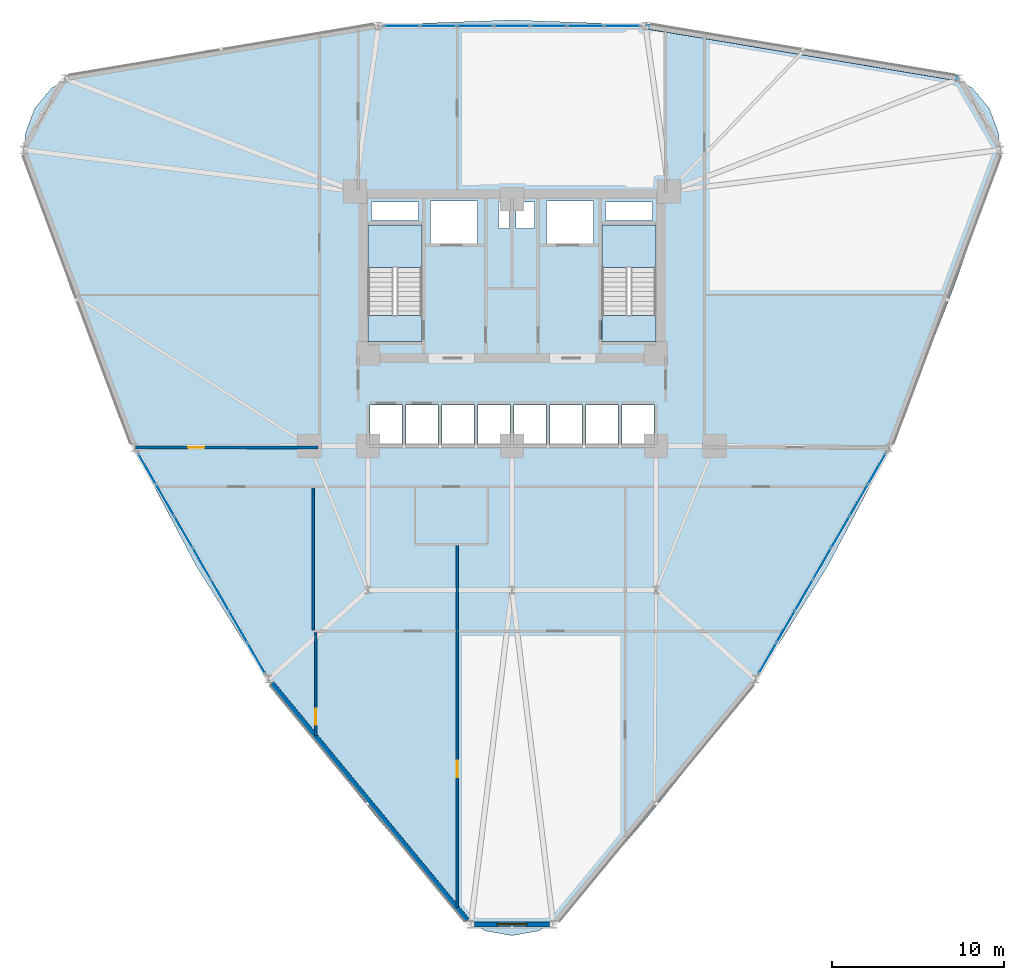
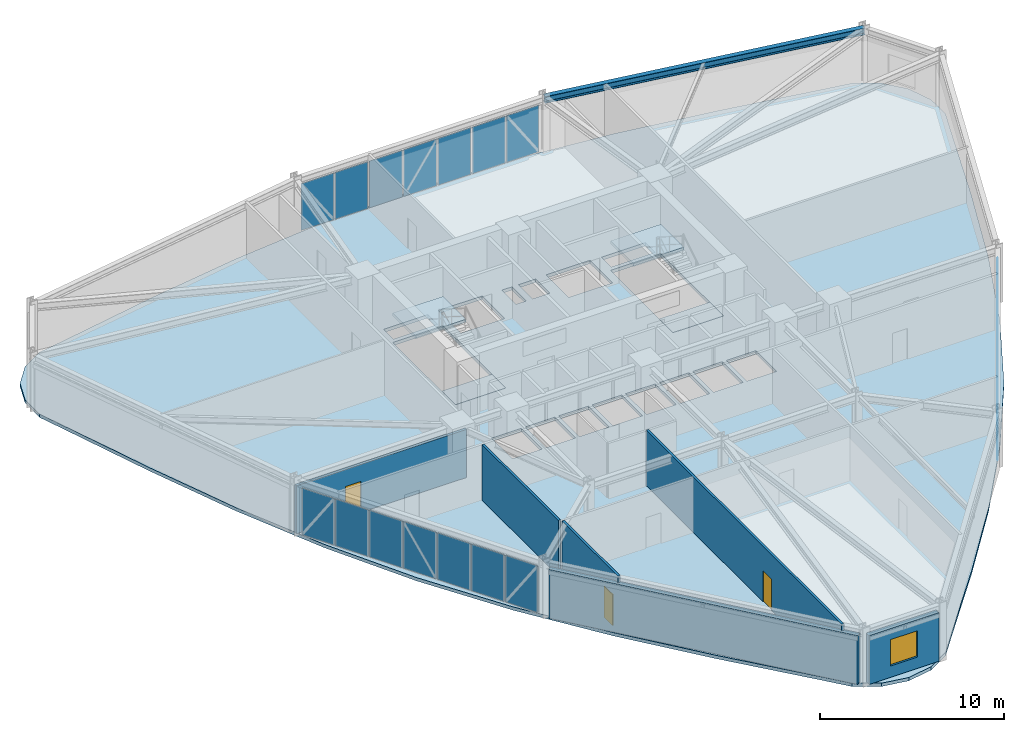
# One storey, part 15 of 22: 21 plates, 6 walls, 5 slabs, 3 doors, 1 beam, 1 window, 4 openings, 5 elements without a shape of their own.
"""IFC4 building model written with IfcOpenShell, lengths in metres."""

from ifc_helpers import new_model, si_unit, derived_unit, direction, frame, frame_2d, origin, origin_2d, place, context, subcontext, project, spatial, polyline, rectangle, i_section, outline, extrude, source, transform, mapped, material, layer, layer_set, material_profile, profile_set, type_object, element, fill, aggregate, save


model = new_model("IFC4")

# Units and contexts
model_context = context("Model", 3, precision=1e-05, world=origin(), true_north=direction((0.0, 1.0)))
body_context = subcontext(model_context, "Body", "Model", "MODEL_VIEW")
ifc_project = project(units=[si_unit("LENGTHUNIT", "METRE"), si_unit("AREAUNIT", "SQUARE_METRE"), si_unit("VOLUMEUNIT", "CUBIC_METRE"), si_unit("PLANEANGLEUNIT", "RADIAN"), si_unit("MASSUNIT", "GRAM", prefix="KILO"), derived_unit("THERMALTRANSMITTANCEUNIT", [(si_unit("POWERUNIT", "WATT"), 1), (si_unit("LENGTHUNIT", "METRE"), -2), (si_unit("THERMODYNAMICTEMPERATUREUNIT", "KELVIN"), -1)])], contexts=[model_context])

# Site, building, storey
site_placement = place(None, origin())
site = spatial("IfcSite", under=ifc_project, at=site_placement, CompositionType="ELEMENT")
building_placement = place(site_placement, origin())
building = spatial("IfcBuilding", under=site, at=building_placement, Name="Korsvarv Bourse and Concert Hall", CompositionType="ELEMENT")
storey_placement = place(building_placement, frame((0.0, 0.0, 47.39990234375)))
storey = spatial("IfcBuildingStorey", under=building, at=storey_placement, Name="L11", CompositionType="ELEMENT", Elevation=47.39990234375)

# Beam
ifc_material_1 = material(Name="Steel S355", Category="steel")
ifc_material_profile = material_profile(ifc_material_1, i_section(OverallWidth=0.300048828125, OverallDepth=0.449951171875, WebThickness=0.013916015625, FlangeThickness=0.02587890625, FilletRadius=0.02099609375, at=origin_2d()), Name="HEB 450")
ifc_profile_set = profile_set([ifc_material_profile], Name="Steel S355")
beam_type = type_object("IfcBeamType", Name="BM-HEB450", PredefinedType="SPANDREL", material=ifc_profile_set)
shared_shape_1 = source(origin(), body_context, "Body", "SweptSolid", [
    extrude(i_section(OverallWidth=0.300048828125, OverallDepth=0.449951171875, WebThickness=0.013916015625, FlangeThickness=0.02587890625, FilletRadius=0.02099609375, at=origin_2d()), origin(), (0.0, 0.0, 1.0), 18.538818359375),
])
beam_placement = place(storey_placement, frame((62.069091796875, 53.82861328125, 3.455078125), z_axis=(-0.98627657502, 0.16510153714, 0.0), x_axis=(-0.16510153714, -0.98627657502, 0.0)))
element("IfcBeam", 1, at=beam_placement, inside=storey, type_object=beam_type, Name="L11 beam B-08", PredefinedType="SPANDREL", context=body_context, shape_type="MappedRepresentation", body=[
    mapped(shared_shape_1, transform((0.0, 0.0, 0.0), scale=1.0)),
])

# Slabs
ifc_material_2 = material(Name="Precast concrete C45/55", Category="concrete")
ifc_layer_1 = layer(ifc_material_2, 0.199951171875)
ifc_layer_set_1 = layer_set([ifc_layer_1], Name="Precast concrete C45/55")
slab_type_1 = type_object("IfcSlabType", Name="SLB-FLND-T", PredefinedType="LANDING", material=ifc_layer_set_1)
slab_1_placement = place(storey_placement, frame((0.0, 0.0, -0.199951171875)))
element("IfcSlab", 2, at=slab_1_placement, inside=storey, type_object=slab_type_1, Name="L11 Stair ST-T1 Floor Landing Slab", PredefinedType="LANDING", context=body_context, shape_type="SweptSolid", body=[
    extrude(outline(polyline([(30.760009765625, 38.5), (30.760009765625, 40.0), (27.60009765625, 40.0), (27.60009765625, 38.5), (30.760009765625, 38.5)])), origin(), (0.0, 0.0, 1.0), 0.199951171875),
])
slab_2_placement = place(storey_placement, frame((0.0, 0.0, -0.199951171875)))
element("IfcSlab", 3, at=slab_2_placement, inside=storey, type_object=slab_type_1, Name="L11 Stair ST-T2 Floor Landing Slab", PredefinedType="LANDING", context=body_context, shape_type="SweptSolid", body=[
    extrude(outline(polyline([(44.39990234375, 38.5), (44.39990234375, 40.0), (41.239990234375, 40.0), (41.239990234375, 38.5), (44.39990234375, 38.5)])), origin(), (0.0, 0.0, 1.0), 0.199951171875),
])

# Stair, slab
stair_type = type_object("IfcStairType", Name="STR-TYPE-03", PredefinedType="HALF_TURN_STAIR", material=ifc_material_2)
stair_1_placement = place(storey_placement, origin())
stair_1 = element("IfcStair", 4, at=stair_1_placement, inside=storey, type_object=stair_type, Name="L11 Tower West Exit Stair ST-T1", PredefinedType="HALF_TURN_STAIR")
ifc_layer_2 = layer(ifc_material_2, 0.199951171875)
ifc_layer_set_2 = layer_set([ifc_layer_2], Name="Precast concrete C45/55")
slab_type_2 = type_object("IfcSlabType", Name="SLB-ST-LND", PredefinedType="LANDING", material=ifc_layer_set_2)
slab_3_placement = place(storey_placement, frame((0.0, 0.0, 1.75)))
slab_3 = element("IfcSlab", 5, at=slab_3_placement, type_object=slab_type_2, Name="ST-T1 landing 1", PredefinedType="LANDING", context=body_context, shape_type="SweptSolid", body=[
    extrude(outline(polyline([(30.760009765625, 42.800048828125), (30.760009765625, 45.300048828125), (27.60009765625, 45.300048828125), (27.60009765625, 42.800048828125), (30.760009765625, 42.800048828125)])), origin(), (0.0, 0.0, 1.0), 0.2001953125),
])
aggregate(stair_1, [slab_3])

stair_2_placement = place(storey_placement, origin())
stair_2 = element("IfcStair", 6, at=stair_2_placement, inside=storey, type_object=stair_type, Name="L11 Tower East Exit Stair ST-T2", PredefinedType="HALF_TURN_STAIR")
slab_4_placement = place(storey_placement, frame((0.0, 0.0, 1.75)))
slab_4 = element("IfcSlab", 7, at=slab_4_placement, type_object=slab_type_2, Name="ST-T2 landing 1", PredefinedType="LANDING", context=body_context, shape_type="SweptSolid", body=[
    extrude(outline(polyline([(44.39990234375, 42.800048828125), (44.39990234375, 45.300048828125), (41.239990234375, 45.300048828125), (41.239990234375, 42.800048828125), (44.39990234375, 42.800048828125)])), origin(), (0.0, 0.0, 1.0), 0.2001953125),
])
aggregate(stair_2, [slab_4])

# Slab
ifc_material_3 = material(Name="Concrete C45/55", Category="concrete")
ifc_layer_3 = layer(ifc_material_3, 0.219970703125)
ifc_layer_set_3 = layer_set([ifc_layer_3], Name="Concrete C45/55")
slab_type_3 = type_object("IfcSlabType", Name="SLB-TW1", PredefinedType="FLOOR", material=ifc_layer_set_3)
slab_5_placement = place(storey_placement, frame((0.0, 0.0, -0.219970703125)))
element("IfcSlab", 8, at=slab_5_placement, inside=storey, type_object=slab_type_3, Name="L11 tower structural floor slab", PredefinedType="FLOOR", context=body_context, shape_type="SweptSolid", body=[
    extrude(outline(polyline([(63.784912109375, 47.35888671875), (61.7548828125, 41.6484375), (59.58837890625, 36.04248046875), (57.162841796875, 30.6064453125), (54.39501953125, 25.379638671875), (51.25244140625, 20.369140625), (47.757568359375, 15.550537109375), (43.985595703125, 10.871337890625), (40.05517578125, 6.258056640625), (40.05078125, 6.253173828125), (38.9326171875, 4.92041015625), (37.560546875, 4.128173828125), (36.0, 3.85302734375), (34.439453125, 4.128173828125), (33.0673828125, 4.92041015625), (31.94921875, 6.253173828125), (31.94482421875, 6.258056640625), (28.014404296875, 10.871337890625), (24.242431640625, 15.550537109375), (20.74755859375, 20.369140625), (17.60498046875, 25.379638671875), (14.837158203125, 30.6064453125), (12.41162109375, 36.04248046875), (10.2451171875, 41.6484375), (8.215087890625, 47.35888671875), (8.212890625, 47.365234375), (7.617919921875, 49.0), (7.617919921875, 50.58447265625), (8.159912109375, 52.073486328125), (9.178466796875, 53.287353515625), (10.550537109375, 54.07958984375), (12.263916015625, 54.381591796875), (12.270263671875, 54.3828125), (18.230712890625, 55.480224609375), (24.169189453125, 56.406982421875), (30.089599609375, 57.0244140625), (36.0, 57.24072265625), (41.910400390625, 57.0244140625), (47.830810546875, 56.406982421875), (53.769287109375, 55.480224609375), (59.729736328125, 54.3828125), (59.736083984375, 54.381591796875), (61.449462890625, 54.07958984375), (62.821533203125, 53.287353515625), (63.840087890625, 52.073486328125), (64.382080078125, 50.58447265625), (64.382080078125, 49.0), (63.787109375, 47.365234375), (63.784912109375, 47.35888671875)]), holes=[polyline([(30.760009765625, 38.5), (30.760009765625, 45.300048828125), (27.60009765625, 45.300048828125), (27.60009765625, 38.5), (30.760009765625, 38.5)]), polyline([(44.39990234375, 38.5), (44.39990234375, 45.300048828125), (41.239990234375, 45.300048828125), (41.239990234375, 38.5), (44.39990234375, 38.5)]), polyline([(31.239990234375, 44.219970703125), (34.0, 44.219970703125), (34.0, 46.679931640625), (31.239990234375, 46.679931640625), (31.239990234375, 44.219970703125)]), polyline([(38.0, 44.219970703125), (40.760009765625, 44.219970703125), (40.760009765625, 46.679931640625), (38.0, 46.679931640625), (38.0, 44.219970703125)]), polyline([(27.719970703125, 32.52001953125), (29.580078125, 32.52001953125), (29.580078125, 34.780029296875), (27.719970703125, 34.780029296875), (27.719970703125, 32.52001953125)]), polyline([(29.820068359375, 32.52001953125), (31.679931640625, 32.52001953125), (31.679931640625, 34.780029296875), (29.820068359375, 34.780029296875), (29.820068359375, 32.52001953125)]), polyline([(31.919921875, 32.52001953125), (33.780029296875, 32.52001953125), (33.780029296875, 34.780029296875), (31.919921875, 34.780029296875), (31.919921875, 32.52001953125)]), polyline([(34.02001953125, 32.52001953125), (35.8798828125, 32.52001953125), (35.8798828125, 34.780029296875), (34.02001953125, 34.780029296875), (34.02001953125, 32.52001953125)]), polyline([(36.1201171875, 32.52001953125), (37.97998046875, 32.52001953125), (37.97998046875, 34.780029296875), (36.1201171875, 34.780029296875), (36.1201171875, 32.52001953125)]), polyline([(38.219970703125, 32.52001953125), (40.080078125, 32.52001953125), (40.080078125, 34.780029296875), (38.219970703125, 34.780029296875), (38.219970703125, 32.52001953125)]), polyline([(40.320068359375, 32.52001953125), (42.179931640625, 32.52001953125), (42.179931640625, 34.780029296875), (40.320068359375, 34.780029296875), (40.320068359375, 32.52001953125)]), polyline([(42.419921875, 32.52001953125), (44.280029296875, 32.52001953125), (44.280029296875, 34.780029296875), (42.419921875, 34.780029296875), (42.419921875, 32.52001953125)]), polyline([(27.800048828125, 45.56005859375), (30.56005859375, 45.56005859375), (30.56005859375, 46.6201171875), (27.800048828125, 46.6201171875), (27.800048828125, 45.56005859375)]), polyline([(41.43994140625, 45.56005859375), (44.199951171875, 45.56005859375), (44.199951171875, 46.6201171875), (41.43994140625, 46.6201171875), (41.43994140625, 45.56005859375)]), polyline([(35.199951171875, 45.080078125), (35.840087890625, 45.080078125), (35.840087890625, 46.6201171875), (35.199951171875, 46.6201171875), (35.199951171875, 45.080078125)]), polyline([(36.239990234375, 45.080078125), (37.320068359375, 45.080078125), (37.320068359375, 46.6201171875), (36.239990234375, 46.6201171875), (36.239990234375, 45.080078125)])]), origin(), (0.0, 0.0, 1.0), 0.219970703125),
])

# Curtain wall, plates
ifc_material_4 = material(Name="Anodised aluminium and triple low-E glazing", Category="glass")
ifc_layer_4 = layer(ifc_material_4, 0.219970703125)
ifc_layer_set_4 = layer_set([ifc_layer_4], Name="Anodised aluminium and triple low-E glazing")
curtain_wall_type = type_object("IfcCurtainWallType", Name="CW-SYS-1", PredefinedType="NOTDEFINED", material=ifc_layer_set_4)
curtain_wall_1_placement = place(storey_placement, origin())
curtain_wall_1 = element("IfcCurtainWall", 9, at=curtain_wall_1_placement, inside=storey, type_object=curtain_wall_type, Name="L11 CW1 curtain wall CW-L11-F03", PredefinedType="NOTDEFINED")
ifc_material_5 = material(Name="Insulated spandrel glass", Category="glass")
ifc_layer_5 = layer(ifc_material_5, 0.031982421875)
ifc_layer_set_5 = layer_set([ifc_layer_5], Name="Insulated spandrel glass")
plate_type_1 = type_object("IfcPlateType", Name="CWP-SPD1", PredefinedType="CURTAIN_PANEL", material=ifc_layer_set_5)
shared_shape_2 = source(origin(), body_context, "Body", "SweptSolid", [
    extrude(rectangle(XDim=2.04443359375, YDim=0.031982421875, at=origin_2d()), origin(), (0.0, 0.0, 1.0), 3.10009765625),
])
plate_1_placement = place(storey_placement, frame((42.430419921875, 56.889404296875, 0.06494140625), z_axis=(0.0, 0.0, 1.0), x_axis=(-1.0, 0.0, 0.0)))
plate_1 = element("IfcPlate", 10, at=plate_1_placement, type_object=plate_type_1, Name="CW1 spandrel shadow-box panel 1.1", PredefinedType="CURTAIN_PANEL", context=body_context, shape_type="MappedRepresentation", body=[
    mapped(shared_shape_2, transform((0.0, 0.0, 0.0), scale=1.0)),
])
plate_2_placement = place(storey_placement, frame((29.569580078125, 56.889404296875, 0.06494140625), z_axis=(0.0, 0.0, 1.0), x_axis=(-1.0, 0.0, 0.0)))
plate_2 = element("IfcPlate", 11, at=plate_2_placement, type_object=plate_type_1, Name="CW1 spandrel shadow-box panel 7.1", PredefinedType="CURTAIN_PANEL", context=body_context, shape_type="MappedRepresentation", body=[
    mapped(shared_shape_2, transform((0.0, 0.0, 0.0), scale=1.0)),
])
ifc_material_6 = material(Name="Tempered triple insulated low-E architectural glass", Category="glass")
ifc_layer_6 = layer(ifc_material_6, 0.035888671875)
ifc_layer_set_6 = layer_set([ifc_layer_6], Name="Tempered triple insulated low-E architectural glass")
plate_type_2 = type_object("IfcPlateType", Name="CWP-VIS1", PredefinedType="CURTAIN_PANEL", material=ifc_layer_set_6)
shared_shape_3 = source(origin(), body_context, "Body", "SweptSolid", [
    extrude(rectangle(XDim=2.079345703125, YDim=0.035888671875, at=origin_2d()), origin(), (0.0, 0.0, 1.0), 3.10009765625),
])
plate_3_placement = place(storey_placement, frame((40.298583984375, 56.889404296875, 0.06494140625), z_axis=(0.0, 0.0, 1.0), x_axis=(-1.0, 0.0, 0.0)))
plate_3 = element("IfcPlate", 12, at=plate_3_placement, type_object=plate_type_2, Name="CW1 faceted panel 2.1", PredefinedType="CURTAIN_PANEL", context=body_context, shape_type="MappedRepresentation", body=[
    mapped(shared_shape_3, transform((0.0, 0.0, 0.0), scale=1.0)),
])
plate_4_placement = place(storey_placement, frame((38.1494140625, 56.889404296875, 0.06494140625), z_axis=(0.0, 0.0, 1.0), x_axis=(-1.0, 0.0, 0.0)))
plate_4 = element("IfcPlate", 13, at=plate_4_placement, type_object=plate_type_2, Name="CW1 faceted panel 3.1", PredefinedType="CURTAIN_PANEL", context=body_context, shape_type="MappedRepresentation", body=[
    mapped(shared_shape_3, transform((0.0, 0.0, 0.0), scale=1.0)),
])
plate_5_placement = place(storey_placement, frame((33.8505859375, 56.889404296875, 0.06494140625), z_axis=(0.0, 0.0, 1.0), x_axis=(-1.0, 0.0, 0.0)))
plate_5 = element("IfcPlate", 14, at=plate_5_placement, type_object=plate_type_2, Name="CW1 faceted panel 5.1", PredefinedType="CURTAIN_PANEL", context=body_context, shape_type="MappedRepresentation", body=[
    mapped(shared_shape_3, transform((0.0, 0.0, 0.0), scale=1.0)),
])
plate_6_placement = place(storey_placement, frame((31.701416015625, 56.889404296875, 0.06494140625), z_axis=(0.0, 0.0, 1.0), x_axis=(-1.0, 0.0, 0.0)))
plate_6 = element("IfcPlate", 15, at=plate_6_placement, type_object=plate_type_2, Name="CW1 faceted panel 6.1", PredefinedType="CURTAIN_PANEL", context=body_context, shape_type="MappedRepresentation", body=[
    mapped(shared_shape_3, transform((0.0, 0.0, 0.0), scale=1.0)),
])
shared_shape_4 = source(origin(), body_context, "Body", "SweptSolid", [
    extrude(rectangle(XDim=2.079345703125, YDim=0.031982421875, at=origin_2d()), origin(), (0.0, 0.0, 1.0), 3.10009765625),
])
plate_7_placement = place(storey_placement, frame((36.0, 56.889404296875, 0.06494140625), z_axis=(0.0, 0.0, 1.0), x_axis=(-1.0, 0.0, 0.0)))
plate_7 = element("IfcPlate", 16, at=plate_7_placement, type_object=plate_type_1, Name="CW1 spandrel shadow-box panel 4.1", PredefinedType="CURTAIN_PANEL", context=body_context, shape_type="MappedRepresentation", body=[
    mapped(shared_shape_4, transform((0.0, 0.0, 0.0), scale=1.0)),
])
aggregate(curtain_wall_1, [plate_1, plate_3, plate_4, plate_7, plate_5, plate_6, plate_2])

curtain_wall_2_placement = place(storey_placement, origin())
curtain_wall_2 = element("IfcCurtainWall", 17, at=curtain_wall_2_placement, inside=storey, type_object=curtain_wall_type, Name="L11 CW1 curtain wall CW-L11-F07", PredefinedType="NOTDEFINED")
shared_shape_5 = source(origin(), body_context, "Body", "SweptSolid", [
    extrude(rectangle(XDim=2.0244140625, YDim=0.031982421875, at=origin_2d()), origin(), (0.0, 0.0, 1.0), 3.10009765625),
])
plate_8_placement = place(storey_placement, frame((14.7236328125, 31.07275390625, 0.06494140625), z_axis=(0.0, 0.0, 1.0), x_axis=(0.499999833962, -0.866025499647, 0.0)))
plate_8 = element("IfcPlate", 18, at=plate_8_placement, type_object=plate_type_1, Name="CW1 spandrel shadow-box panel 1.1", PredefinedType="CURTAIN_PANEL", context=body_context, shape_type="MappedRepresentation", body=[
    mapped(shared_shape_5, transform((0.0, 0.0, 0.0), scale=1.0)),
])
plate_9_placement = place(storey_placement, frame((21.0947265625, 20.037841796875, 0.06494140625), z_axis=(0.0, 0.0, 1.0), x_axis=(0.499999833962, -0.866025499647, 0.0)))
plate_9 = element("IfcPlate", 19, at=plate_9_placement, type_object=plate_type_1, Name="CW1 spandrel shadow-box panel 7.1", PredefinedType="CURTAIN_PANEL", context=body_context, shape_type="MappedRepresentation", body=[
    mapped(shared_shape_5, transform((0.0, 0.0, 0.0), scale=1.0)),
])

curtain_wall_3_placement = place(storey_placement, origin())
curtain_wall_3 = element("IfcCurtainWall", 20, at=curtain_wall_3_placement, inside=storey, type_object=curtain_wall_type, Name="L11 CW1 curtain wall CW-L11-F11", PredefinedType="NOTDEFINED")
plate_10_placement = place(storey_placement, frame((50.9052734375, 20.037841796875, 0.06494140625), z_axis=(0.0, 0.0, 1.0), x_axis=(0.499999833962, 0.866025499647, 0.0)))
plate_10 = element("IfcPlate", 21, at=plate_10_placement, type_object=plate_type_1, Name="CW1 spandrel shadow-box panel 1.1", PredefinedType="CURTAIN_PANEL", context=body_context, shape_type="MappedRepresentation", body=[
    mapped(shared_shape_5, transform((0.0, 0.0, 0.0), scale=1.0)),
])
plate_11_placement = place(storey_placement, frame((57.2763671875, 31.07275390625, 0.06494140625), z_axis=(0.0, 0.0, 1.0), x_axis=(0.499999833962, 0.866025499647, 0.0)))
plate_11 = element("IfcPlate", 22, at=plate_11_placement, type_object=plate_type_1, Name="CW1 spandrel shadow-box panel 7.1", PredefinedType="CURTAIN_PANEL", context=body_context, shape_type="MappedRepresentation", body=[
    mapped(shared_shape_5, transform((0.0, 0.0, 0.0), scale=1.0)),
])

# Plate
shared_shape_6 = source(origin(), body_context, "Body", "SweptSolid", [
    extrude(rectangle(XDim=2.0595703125, YDim=0.035888671875, at=origin_2d()), origin(), (0.0, 0.0, 1.0), 3.10009765625),
])
plate_12_placement = place(storey_placement, frame((15.779541015625, 29.24365234375, 0.06494140625), z_axis=(0.0, 0.0, 1.0), x_axis=(0.499999833962, -0.866025499647, 0.0)))
plate_12 = element("IfcPlate", 23, at=plate_12_placement, type_object=plate_type_2, Name="CW1 faceted panel 2.1", PredefinedType="CURTAIN_PANEL", context=body_context, shape_type="MappedRepresentation", body=[
    mapped(shared_shape_6, transform((0.0, 0.0, 0.0), scale=1.0)),
])

plate_13_placement = place(storey_placement, frame((16.844482421875, 27.3994140625, 0.06494140625), z_axis=(0.0, 0.0, 1.0), x_axis=(0.499999833962, -0.866025499647, 0.0)))
plate_13 = element("IfcPlate", 24, at=plate_13_placement, type_object=plate_type_2, Name="CW1 faceted panel 3.1", PredefinedType="CURTAIN_PANEL", context=body_context, shape_type="MappedRepresentation", body=[
    mapped(shared_shape_6, transform((0.0, 0.0, 0.0), scale=1.0)),
])

plate_14_placement = place(storey_placement, frame((18.973876953125, 23.7109375, 0.06494140625), z_axis=(0.0, 0.0, 1.0), x_axis=(0.499999833962, -0.866025499647, 0.0)))
plate_14 = element("IfcPlate", 25, at=plate_14_placement, type_object=plate_type_2, Name="CW1 faceted panel 5.1", PredefinedType="CURTAIN_PANEL", context=body_context, shape_type="MappedRepresentation", body=[
    mapped(shared_shape_6, transform((0.0, 0.0, 0.0), scale=1.0)),
])

plate_15_placement = place(storey_placement, frame((20.03857421875, 21.866943359375, 0.06494140625), z_axis=(0.0, 0.0, 1.0), x_axis=(0.499999833962, -0.866025499647, 0.0)))
plate_15 = element("IfcPlate", 26, at=plate_15_placement, type_object=plate_type_2, Name="CW1 faceted panel 6.1", PredefinedType="CURTAIN_PANEL", context=body_context, shape_type="MappedRepresentation", body=[
    mapped(shared_shape_6, transform((0.0, 0.0, 0.0), scale=1.0)),
])

plate_16_placement = place(storey_placement, frame((51.96142578125, 21.866943359375, 0.06494140625), z_axis=(0.0, 0.0, 1.0), x_axis=(0.499999833962, 0.866025499647, 0.0)))
plate_16 = element("IfcPlate", 27, at=plate_16_placement, type_object=plate_type_2, Name="CW1 faceted panel 2.1", PredefinedType="CURTAIN_PANEL", context=body_context, shape_type="MappedRepresentation", body=[
    mapped(shared_shape_6, transform((0.0, 0.0, 0.0), scale=1.0)),
])

plate_17_placement = place(storey_placement, frame((53.026123046875, 23.7109375, 0.06494140625), z_axis=(0.0, 0.0, 1.0), x_axis=(0.499999833962, 0.866025499647, 0.0)))
plate_17 = element("IfcPlate", 28, at=plate_17_placement, type_object=plate_type_2, Name="CW1 faceted panel 3.1", PredefinedType="CURTAIN_PANEL", context=body_context, shape_type="MappedRepresentation", body=[
    mapped(shared_shape_6, transform((0.0, 0.0, 0.0), scale=1.0)),
])

plate_18_placement = place(storey_placement, frame((55.155517578125, 27.3994140625, 0.06494140625), z_axis=(0.0, 0.0, 1.0), x_axis=(0.499999833962, 0.866025499647, 0.0)))
plate_18 = element("IfcPlate", 29, at=plate_18_placement, type_object=plate_type_2, Name="CW1 faceted panel 5.1", PredefinedType="CURTAIN_PANEL", context=body_context, shape_type="MappedRepresentation", body=[
    mapped(shared_shape_6, transform((0.0, 0.0, 0.0), scale=1.0)),
])

plate_19_placement = place(storey_placement, frame((56.220458984375, 29.24365234375, 0.06494140625), z_axis=(0.0, 0.0, 1.0), x_axis=(0.499999833962, 0.866025499647, 0.0)))
plate_19 = element("IfcPlate", 30, at=plate_19_placement, type_object=plate_type_2, Name="CW1 faceted panel 6.1", PredefinedType="CURTAIN_PANEL", context=body_context, shape_type="MappedRepresentation", body=[
    mapped(shared_shape_6, transform((0.0, 0.0, 0.0), scale=1.0)),
])

shared_shape_7 = source(origin(), body_context, "Body", "SweptSolid", [
    extrude(rectangle(XDim=2.0595703125, YDim=0.031982421875, at=origin_2d()), origin(), (0.0, 0.0, 1.0), 3.10009765625),
])
plate_20_placement = place(storey_placement, frame((17.9091796875, 25.55517578125, 0.06494140625), z_axis=(0.0, 0.0, 1.0), x_axis=(0.499999833962, -0.866025499647, 0.0)))
plate_20 = element("IfcPlate", 31, at=plate_20_placement, type_object=plate_type_1, Name="CW1 spandrel shadow-box panel 4.1", PredefinedType="CURTAIN_PANEL", context=body_context, shape_type="MappedRepresentation", body=[
    mapped(shared_shape_7, transform((0.0, 0.0, 0.0), scale=1.0)),
])

aggregate(curtain_wall_2, [plate_8, plate_12, plate_13, plate_20, plate_14, plate_15, plate_9])

plate_21_placement = place(storey_placement, frame((54.0908203125, 25.55517578125, 0.06494140625), z_axis=(0.0, 0.0, 1.0), x_axis=(0.499999833962, 0.866025499647, 0.0)))
plate_21 = element("IfcPlate", 32, at=plate_21_placement, type_object=plate_type_1, Name="CW1 spandrel shadow-box panel 4.1", PredefinedType="CURTAIN_PANEL", context=body_context, shape_type="MappedRepresentation", body=[
    mapped(shared_shape_7, transform((0.0, 0.0, 0.0), scale=1.0)),
])

aggregate(curtain_wall_3, [plate_10, plate_16, plate_17, plate_21, plate_18, plate_19, plate_11])

# Wall, opening, window
ifc_material_7 = material(Name="Precast concrete C45/55 with terracotta rainscreen", Category="concrete")
ifc_layer_7 = layer(ifc_material_7, 0.300048828125)
ifc_layer_set_7 = layer_set([ifc_layer_7], Name="Precast concrete C45/55 with terracotta rainscreen")
wall_type_1 = type_object("IfcWallType", Name="WL-EXT-TC1", PredefinedType="SOLIDWALL", material=ifc_layer_set_7)
wall_1_placement = place(storey_placement, frame((33.811767578125, 4.509033203125, 0.0), z_axis=(0.0, 0.0, 1.0), x_axis=(1.0, 0.0, 0.0)))
wall_1 = element("IfcWall", 33, at=wall_1_placement, inside=storey, type_object=wall_type_1, Name="L11 terracotta exterior wall EW-L11-B09", PredefinedType="SOLIDWALL", context=body_context, shape_type="SweptSolid", body=[
    extrude(rectangle(XDim=4.37646484375, YDim=0.300048828125, at=frame_2d((2.188232421875, 0.0))), origin(), (0.0, 0.0, 1.0), 3.22998046875),
])
opening_1_placement = place(wall_1_placement, frame((1.33837890625, 0.0, 0.75)))
opening_1 = element("IfcOpeningElement", 34, at=opening_1_placement, cuts=wall_1, Name="Opening W-01", PredefinedType="OPENING", context=body_context, shape_type="SweptSolid", body=[
    extrude(rectangle(XDim=1.699951171875, YDim=1.75, at=frame_2d((0.85009765625, 0.875))), frame((0.0, 0.16015625, 0.0), z_axis=(0.0, -1.0, 0.0), x_axis=(1.0, 0.0, 0.0)), (0.0, 0.0, 1.0), 0.320068359375),
])
ifc_material_8 = material(Name="Thermally broken aluminium frame with triple low-E glass", Category="glass")
window_type = type_object("IfcWindowType", Name="WIN-TW1", PartitioningType="SINGLE_PANEL", PredefinedType="WINDOW", material=ifc_material_8)
window_placement = place(opening_1_placement, origin())
window = element("IfcWindow", 35, at=window_placement, inside=storey, type_object=window_type, Name="L11 punched facade window W-01", OverallHeight=1.75, OverallWidth=1.699951171875, PartitioningType="SINGLE_PANEL", PredefinedType="WINDOW", context=body_context, shape_type="SweptSolid", body=[
    extrude(rectangle(XDim=1.699951171875, YDim=1.75, at=frame_2d((0.85009765625, 0.875))), frame((0.0, 0.030029296875, 0.0), z_axis=(0.0, -1.0, 0.0), x_axis=(1.0, 0.0, 0.0)), (0.0, 0.0, 1.0), 0.06005859375),
])
fill(opening_1, window)

# Wall
ifc_material_9 = material(Name="Precast concrete C45/55 with fluted terracotta pier", Category="concrete")
ifc_layer_8 = layer(ifc_material_9, 0.280029296875)
ifc_layer_set_8 = layer_set([ifc_layer_8], Name="Precast concrete C45/55 with fluted terracotta pier")
wall_type_2 = type_object("IfcWallType", Name="WL-EXT-TC2", PredefinedType="SOLIDWALL", material=ifc_layer_set_8)
wall_2_placement = place(storey_placement, frame((22.0009765625, 18.571533203125, 0.0), z_axis=(0.0, 0.0, 1.0), x_axis=(0.636134749951, -0.771577980443, 0.0)))
element("IfcWall", 36, at=wall_2_placement, inside=storey, type_object=wall_type_2, Name="L11 terracotta exterior wall EW-L11-B08", PredefinedType="SOLIDWALL", context=body_context, shape_type="SweptSolid", body=[
    extrude(rectangle(XDim=17.911865234375, YDim=0.280029296875, at=frame_2d((8.9560546875, 0.0))), origin(), (0.0, 0.0, 1.0), 3.22998046875),
])

# Wall, opening, door
ifc_material_10 = material(Name="Double-stud fire-rated acoustic partition", Category="gypsum")
ifc_layer_9 = layer(ifc_material_10, 0.159912109375)
ifc_layer_set_9 = layer_set([ifc_layer_9], Name="Double-stud fire-rated acoustic partition")
wall_type_3 = type_object("IfcWallType", Name="WL-INT-EI60", PredefinedType="PARTITIONING", material=ifc_layer_set_9)
wall_3_placement = place(storey_placement, frame((14.030029296875, 32.31494140625, 0.0), z_axis=(0.0, 0.0, 1.0), x_axis=(1.0, 0.0, 0.0)))
wall_3 = element("IfcWall", 37, at=wall_3_placement, inside=storey, type_object=wall_type_3, Name="L11 interior partition wall W-L11-TCOR-04", PredefinedType="PARTITIONING", context=body_context, shape_type="SweptSolid", body=[
    extrude(rectangle(XDim=10.6630859375, YDim=0.159912109375, at=frame_2d((5.33154296875, 0.0))), origin(), (0.0, 0.0, 1.0), 3.18017578125),
])
opening_2_placement = place(wall_3_placement, frame((3.080078125, 0.0, 0.0)))
opening_2 = element("IfcOpeningElement", 38, at=opening_2_placement, cuts=wall_3, Name="Opening D-02", PredefinedType="OPENING", context=body_context, shape_type="SweptSolid", body=[
    extrude(rectangle(XDim=0.949951171875, YDim=2.050048828125, at=frame_2d((0.47509765625, 1.02490234375))), frame((0.0, 0.08984375, 0.0), z_axis=(0.0, -1.0, 0.0), x_axis=(1.0, 0.0, 0.0)), (0.0, 0.0, 1.0), 0.179931640625),
])
ifc_material_11 = material(Name="Timber and steel acoustic fire door", Category="wood")
door_type_1 = type_object("IfcDoorType", Name="DR-FD30", OperationType="NOTDEFINED", PredefinedType="DOOR", material=ifc_material_11)
door_1_placement = place(opening_2_placement, origin())
door_1 = element("IfcDoor", 39, at=door_1_placement, inside=storey, type_object=door_type_1, Name="L11 interior door DR-L11-TCOR-MF712", OperationType="SINGLE_SWING_LEFT", OverallHeight=2.050048828125, OverallWidth=0.949951171875, PredefinedType="DOOR", context=body_context, shape_type="SweptSolid", body=[
    extrude(rectangle(XDim=0.949951171875, YDim=2.050048828125, at=frame_2d((0.47509765625, 1.02490234375))), frame((0.0, 0.02490234375, 0.0), z_axis=(0.0, -1.0, 0.0), x_axis=(1.0, 0.0, 0.0)), (0.0, 0.0, 1.0), 0.050048828125),
])
fill(opening_2, door_1)

ifc_material_12 = material(Name="Insulated steel-stud office acoustic partition", Category="gypsum")
ifc_layer_10 = layer(ifc_material_12, 0.139892578125)
ifc_layer_set_10 = layer_set([ifc_layer_10], Name="Insulated steel-stud office acoustic partition")
wall_type_4 = type_object("IfcWallType", Name="WL-INT-P1", PredefinedType="PARTITIONING", material=ifc_layer_set_10)
wall_4_placement = place(storey_placement, frame((32.804931640625, 5.487060546875, 0.0), z_axis=(0.0, 0.0, 1.0), x_axis=(0.0, 1.0, 0.0)))
wall_4 = element("IfcWall", 40, at=wall_4_placement, inside=storey, type_object=wall_type_4, Name="L11 interior partition wall W-L11-TCOR-09", PredefinedType="PARTITIONING", context=body_context, shape_type="SweptSolid", body=[
    extrude(rectangle(XDim=21.202880859375, YDim=0.139892578125, at=frame_2d((10.6015625, 0.0))), origin(), (0.0, 0.0, 1.0), 3.68017578125),
])
opening_3_placement = place(wall_4_placement, frame((7.599609375, 0.0, 0.0)))
opening_3 = element("IfcOpeningElement", 41, at=opening_3_placement, cuts=wall_4, Name="Opening D-03", PredefinedType="OPENING", context=body_context, shape_type="SweptSolid", body=[
    extrude(rectangle(XDim=0.949951171875, YDim=2.050048828125, at=frame_2d((0.47509765625, 1.02490234375))), frame((0.0, 0.080078125, 0.0), z_axis=(0.0, -1.0, 0.0), x_axis=(1.0, 0.0, 0.0)), (0.0, 0.0, 1.0), 0.159912109375),
])
ifc_material_13 = material(Name="Nordic oak acoustic office door", Category="wood")
door_type_2 = type_object("IfcDoorType", Name="DR-INT-1", OperationType="NOTDEFINED", PredefinedType="DOOR", material=ifc_material_13)
door_2_placement = place(opening_3_placement, origin())
door_2 = element("IfcDoor", 42, at=door_2_placement, inside=storey, type_object=door_type_2, Name="L11 interior door DR-L11-TCOR-MF66", OperationType="SINGLE_SWING_RIGHT", OverallHeight=2.050048828125, OverallWidth=0.949951171875, PredefinedType="DOOR", context=body_context, shape_type="SweptSolid", body=[
    extrude(rectangle(XDim=0.949951171875, YDim=2.050048828125, at=frame_2d((0.47509765625, 1.02490234375))), frame((0.0, 0.02490234375, 0.0), z_axis=(0.0, -1.0, 0.0), x_axis=(1.0, 0.0, 0.0)), (0.0, 0.0, 1.0), 0.050048828125),
])
fill(opening_3, door_2)

# Wall
wall_5_placement = place(storey_placement, frame((24.405029296875, 21.677001953125, 0.0), z_axis=(0.0, 0.0, 1.0), x_axis=(0.0, 1.0, 0.0)))
element("IfcWall", 43, at=wall_5_placement, inside=storey, type_object=wall_type_4, Name="L11 interior partition wall W-L11-TCOR-14", PredefinedType="PARTITIONING", context=body_context, shape_type="SweptSolid", body=[
    extrude(rectangle(XDim=8.26611328125, YDim=0.139892578125, at=frame_2d((4.133056640625, 0.0))), origin(), (0.0, 0.0, 1.0), 3.68017578125),
])

# Wall, opening, door
wall_6_placement = place(storey_placement, frame((24.56494140625, 15.481689453125, 0.0), z_axis=(0.0, 0.0, 1.0), x_axis=(0.0, 1.0, 0.0)))
wall_6 = element("IfcWall", 44, at=wall_6_placement, inside=storey, type_object=wall_type_4, Name="L11 interior partition wall W-L11-TCOR-15", PredefinedType="PARTITIONING", context=body_context, shape_type="SweptSolid", body=[
    extrude(rectangle(XDim=6.05126953125, YDim=0.139892578125, at=frame_2d((3.025634765625, 0.0))), origin(), (0.0, 0.0, 1.0), 3.68017578125),
])
opening_4_placement = place(wall_6_placement, frame((0.656494140625, 0.0, 0.0)))
opening_4 = element("IfcOpeningElement", 45, at=opening_4_placement, cuts=wall_6, Name="Opening D-03", PredefinedType="OPENING", context=body_context, shape_type="SweptSolid", body=[
    extrude(rectangle(XDim=0.949951171875, YDim=2.050048828125, at=frame_2d((0.47509765625, 1.02490234375))), frame((0.0, 0.080078125, 0.0), z_axis=(0.0, -1.0, 0.0), x_axis=(1.0, 0.0, 0.0)), (0.0, 0.0, 1.0), 0.159912109375),
])
door_3_placement = place(opening_4_placement, frame((0.949951171875, 0.0, 0.0), z_axis=(0.0, 0.0, 1.0), x_axis=(-1.0, 0.0, 0.0)))
door_3 = element("IfcDoor", 46, at=door_3_placement, inside=storey, type_object=door_type_2, Name="L11 interior door DR-L11-TCOR-MF54", OperationType="SINGLE_SWING_LEFT", OverallHeight=2.050048828125, OverallWidth=0.949951171875, PredefinedType="DOOR", context=body_context, shape_type="SweptSolid", body=[
    extrude(rectangle(XDim=0.949951171875, YDim=2.050048828125, at=frame_2d((0.47509765625, 1.02490234375))), frame((0.0, 0.02490234375, 0.0), z_axis=(0.0, -1.0, 0.0), x_axis=(1.0, 0.0, 0.0)), (0.0, 0.0, 1.0), 0.050048828125),
])
fill(opening_4, door_3)

save(model, "model.ifc")
